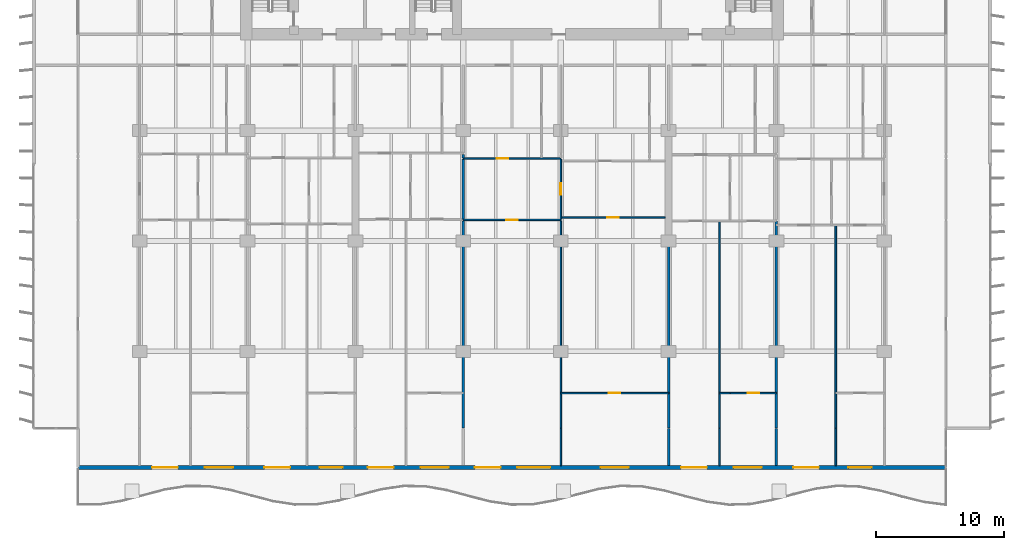
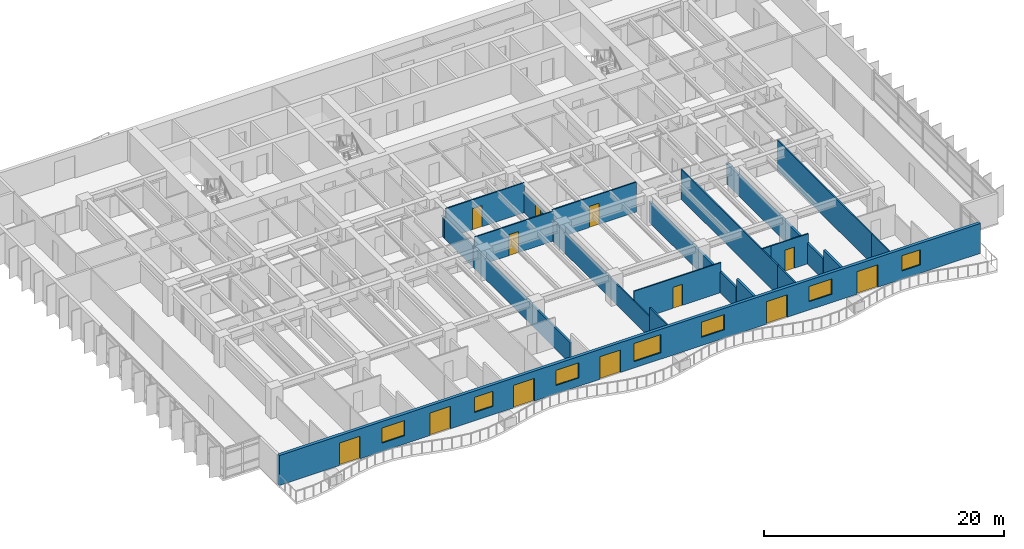
# One storey, part 8 of 18: 21 walls, 12 doors, 7 windows, 19 openings.
"""IFC4 building model written with IfcOpenShell, lengths in metres."""

from ifc_helpers import new_model, si_unit, direction, frame, frame_2d, origin, place, context, subcontext, project, spatial, rectangle, extrude, material, layer, layer_set, type_object, element, fill, save


model = new_model("IFC4")

# Units and contexts
model_context = context("Model", 3, precision=1e-05, world=origin(), true_north=direction((0.0, 1.0)))
body_context = subcontext(model_context, "Body", "Model", "MODEL_VIEW")
ifc_project = project(units=[si_unit("LENGTHUNIT", "METRE"), si_unit("AREAUNIT", "SQUARE_METRE"), si_unit("VOLUMEUNIT", "CUBIC_METRE"), si_unit("PLANEANGLEUNIT", "RADIAN"), si_unit("MASSUNIT", "GRAM", prefix="KILO")], contexts=[model_context])

# Site, building, storey
site_placement = place(None, origin())
site = spatial("IfcSite", under=ifc_project, at=site_placement, CompositionType="ELEMENT")
building_placement = place(site_placement, origin())
building = spatial("IfcBuilding", under=site, at=building_placement, Name="Caelmar Bay Residences", CompositionType="ELEMENT")
storey_placement = place(building_placement, frame((0.0, 0.0, 36.60009765625)))
storey = spatial("IfcBuildingStorey", under=building, at=storey_placement, Name="L08", CompositionType="ELEMENT", Elevation=36.60009765625)

# Wall, openings, doors, windows
ifc_material_1 = material(Name="Precast concrete f'c 40 MPa (6,000 psi)", Category="concrete")
ifc_layer_1 = layer(ifc_material_1, 0.300048828125)
ifc_layer_set_1 = layer_set([ifc_layer_1], Name="Precast concrete f'c 40 MPa (6,000 psi)")
wall_type_1 = type_object("IfcWallType", Name="W-EXT-300", PredefinedType="STANDARD", material=ifc_layer_set_1)
wall_1_placement = place(storey_placement, frame((72.699951171875, 3.14990234375, 0.0), z_axis=(0.0, 0.0, 1.0), x_axis=(-1.0, 0.0, 0.0)))
wall_1 = element("IfcWall", 1, at=wall_1_placement, inside=storey, type_object=wall_type_1, Name="L08 South Bayfront Exterior Wall", PredefinedType="STANDARD", context=body_context, shape_type="SweptSolid", body=[
    extrude(rectangle(XDim=67.599853515625, YDim=0.300048828125, at=frame_2d((33.7998046875, 0.0))), origin(), (0.0, 0.0, 1.0), 3.0498046875),
])
opening_1_placement = place(wall_1_placement, frame((59.825927734375, 0.0, 0.0)))
opening_1 = element("IfcOpeningElement", 2, at=opening_1_placement, cuts=wall_1, Name="Opening L08-BD01", PredefinedType="OPENING", context=body_context, shape_type="SweptSolid", body=[
    extrude(rectangle(XDim=2.0, YDim=2.300048828125, at=frame_2d((1.0, 1.14990234375))), frame((0.0, 0.159912109375, 0.0), z_axis=(0.0, -1.0, 0.0), x_axis=(1.0, 0.0, 0.0)), (0.0, 0.0, 1.0), 0.320068359375),
])
opening_2_placement = place(wall_1_placement, frame((55.52587890625, 0.0, 0.85009765625)))
opening_2 = element("IfcOpeningElement", 3, at=opening_2_placement, cuts=wall_1, Name="Opening WN2", PredefinedType="OPENING", context=body_context, shape_type="SweptSolid", body=[
    extrude(rectangle(XDim=2.199951171875, YDim=1.550048828125, at=frame_2d((1.10009765625, 0.77490234375))), frame((0.0, 0.159912109375, 0.0), z_axis=(0.0, -1.0, 0.0), x_axis=(1.0, 0.0, 0.0)), (0.0, 0.0, 1.0), 0.320068359375),
])
opening_3_placement = place(wall_1_placement, frame((51.090087890625, 0.0, 0.0)))
opening_3 = element("IfcOpeningElement", 4, at=opening_3_placement, cuts=wall_1, Name="Opening L08-BD02", PredefinedType="OPENING", context=body_context, shape_type="SweptSolid", body=[
    extrude(rectangle(XDim=2.0, YDim=2.300048828125, at=frame_2d((1.0, 1.14990234375))), frame((0.0, 0.159912109375, 0.0), z_axis=(0.0, -1.0, 0.0), x_axis=(1.0, 0.0, 0.0)), (0.0, 0.0, 1.0), 0.320068359375),
])
opening_4_placement = place(wall_1_placement, frame((46.989990234375, 0.0, 0.85009765625)))
opening_4 = element("IfcOpeningElement", 5, at=opening_4_placement, cuts=wall_1, Name="Opening WN1", PredefinedType="OPENING", context=body_context, shape_type="SweptSolid", body=[
    extrude(rectangle(XDim=1.800048828125, YDim=1.550048828125, at=frame_2d((0.89990234375, 0.77490234375))), frame((0.0, 0.159912109375, 0.0), z_axis=(0.0, -1.0, 0.0), x_axis=(1.0, 0.0, 0.0)), (0.0, 0.0, 1.0), 0.320068359375),
])
opening_5_placement = place(wall_1_placement, frame((43.02587890625, 0.0, 0.0)))
opening_5 = element("IfcOpeningElement", 6, at=opening_5_placement, cuts=wall_1, Name="Opening L08-BD03", PredefinedType="OPENING", context=body_context, shape_type="SweptSolid", body=[
    extrude(rectangle(XDim=2.0, YDim=2.300048828125, at=frame_2d((1.0, 1.14990234375))), frame((0.0, 0.159912109375, 0.0), z_axis=(0.0, -1.0, 0.0), x_axis=(1.0, 0.0, 0.0)), (0.0, 0.0, 1.0), 0.320068359375),
])
opening_6_placement = place(wall_1_placement, frame((38.72607421875, 0.0, 0.85009765625)))
opening_6 = element("IfcOpeningElement", 7, at=opening_6_placement, cuts=wall_1, Name="Opening WN2", PredefinedType="OPENING", context=body_context, shape_type="SweptSolid", body=[
    extrude(rectangle(XDim=2.199951171875, YDim=1.550048828125, at=frame_2d((1.10009765625, 0.77490234375))), frame((0.0, 0.159912109375, 0.0), z_axis=(0.0, -1.0, 0.0), x_axis=(1.0, 0.0, 0.0)), (0.0, 0.0, 1.0), 0.320068359375),
])
opening_7_placement = place(wall_1_placement, frame((34.68994140625, 0.0, 0.0)))
opening_7 = element("IfcOpeningElement", 8, at=opening_7_placement, cuts=wall_1, Name="Opening L08-BD04", PredefinedType="OPENING", context=body_context, shape_type="SweptSolid", body=[
    extrude(rectangle(XDim=2.0, YDim=2.300048828125, at=frame_2d((1.0, 1.14990234375))), frame((0.0, 0.159912109375, 0.0), z_axis=(0.0, -1.0, 0.0), x_axis=(1.0, 0.0, 0.0)), (0.0, 0.0, 1.0), 0.320068359375),
])
opening_8_placement = place(wall_1_placement, frame((30.81005859375, 0.0, 0.64990234375)))
opening_8 = element("IfcOpeningElement", 9, at=opening_8_placement, cuts=wall_1, Name="Opening WN3", PredefinedType="OPENING", context=body_context, shape_type="SweptSolid", body=[
    extrude(rectangle(XDim=2.60009765625, YDim=1.85009765625, at=frame_2d((1.300048828125, 0.925048828125))), frame((0.0, 0.159912109375, 0.0), z_axis=(0.0, -1.0, 0.0), x_axis=(1.0, 0.0, 0.0)), (0.0, 0.0, 1.0), 0.320068359375),
])
opening_9_placement = place(wall_1_placement, frame((24.699951171875, 0.0, 0.85009765625)))
opening_9 = element("IfcOpeningElement", 10, at=opening_9_placement, cuts=wall_1, Name="Opening WN2", PredefinedType="OPENING", context=body_context, shape_type="SweptSolid", body=[
    extrude(rectangle(XDim=2.199951171875, YDim=1.550048828125, at=frame_2d((1.10009765625, 0.77490234375))), frame((0.0, 0.159912109375, 0.0), z_axis=(0.0, -1.0, 0.0), x_axis=(1.0, 0.0, 0.0)), (0.0, 0.0, 1.0), 0.320068359375),
])
opening_10_placement = place(wall_1_placement, frame((18.6259765625, 0.0, 0.0)))
opening_10 = element("IfcOpeningElement", 11, at=opening_10_placement, cuts=wall_1, Name="Opening L08-BD05", PredefinedType="OPENING", context=body_context, shape_type="SweptSolid", body=[
    extrude(rectangle(XDim=2.0, YDim=2.300048828125, at=frame_2d((1.0, 1.14990234375))), frame((0.0, 0.159912109375, 0.0), z_axis=(0.0, -1.0, 0.0), x_axis=(1.0, 0.0, 0.0)), (0.0, 0.0, 1.0), 0.320068359375),
])
opening_11_placement = place(wall_1_placement, frame((14.325927734375, 0.0, 0.85009765625)))
opening_11 = element("IfcOpeningElement", 12, at=opening_11_placement, cuts=wall_1, Name="Opening WN2", PredefinedType="OPENING", context=body_context, shape_type="SweptSolid", body=[
    extrude(rectangle(XDim=2.199951171875, YDim=1.550048828125, at=frame_2d((1.10009765625, 0.77490234375))), frame((0.0, 0.159912109375, 0.0), z_axis=(0.0, -1.0, 0.0), x_axis=(1.0, 0.0, 0.0)), (0.0, 0.0, 1.0), 0.320068359375),
])
opening_12_placement = place(wall_1_placement, frame((9.889892578125, 0.0, 0.0)))
opening_12 = element("IfcOpeningElement", 13, at=opening_12_placement, cuts=wall_1, Name="Opening L08-BD06", PredefinedType="OPENING", context=body_context, shape_type="SweptSolid", body=[
    extrude(rectangle(XDim=2.0, YDim=2.300048828125, at=frame_2d((1.0, 1.14990234375))), frame((0.0, 0.159912109375, 0.0), z_axis=(0.0, -1.0, 0.0), x_axis=(1.0, 0.0, 0.0)), (0.0, 0.0, 1.0), 0.320068359375),
])
opening_13_placement = place(wall_1_placement, frame((5.7900390625, 0.0, 0.85009765625)))
opening_13 = element("IfcOpeningElement", 14, at=opening_13_placement, cuts=wall_1, Name="Opening WN1", PredefinedType="OPENING", context=body_context, shape_type="SweptSolid", body=[
    extrude(rectangle(XDim=1.800048828125, YDim=1.550048828125, at=frame_2d((0.89990234375, 0.77490234375))), frame((0.0, 0.159912109375, 0.0), z_axis=(0.0, -1.0, 0.0), x_axis=(1.0, 0.0, 0.0)), (0.0, 0.0, 1.0), 0.320068359375),
])
ifc_material_2 = material(Name="Anodised bronze thermally broken sliding glass door", Category="glass")
ifc_layer_2 = layer(ifc_material_2, 0.050048828125)
ifc_layer_set_2 = layer_set([ifc_layer_2], Name="Anodised bronze thermally broken sliding glass door")
door_type_1 = type_object("IfcDoorType", Name="D-BAL-2000", OperationType="DOUBLE_DOOR_SLIDING", PredefinedType="DOOR", material=ifc_layer_set_2)
door_1_placement = place(opening_1_placement, origin())
door_1 = element("IfcDoor", 15, at=door_1_placement, inside=storey, type_object=door_type_1, Name="L08 Residence 01 Penthouse Living Salon Balcony Door", OperationType="DOUBLE_DOOR_SLIDING", OverallHeight=2.300048828125, OverallWidth=2.0, PredefinedType="DOOR", context=body_context, shape_type="SweptSolid", body=[
    extrude(rectangle(XDim=2.0, YDim=2.300048828125, at=frame_2d((1.0, 1.14990234375))), frame((0.0, 0.02490234375, 0.0), z_axis=(0.0, -1.0, 0.0), x_axis=(1.0, 0.0, 0.0)), (0.0, 0.0, 1.0), 0.050048828125),
])
fill(opening_1, door_1)
door_2_placement = place(opening_3_placement, origin())
door_2 = element("IfcDoor", 16, at=door_2_placement, inside=storey, type_object=door_type_1, Name="L08 Residence 02 Penthouse Living Salon Balcony Door", OperationType="DOUBLE_DOOR_SLIDING", OverallHeight=2.300048828125, OverallWidth=2.0, PredefinedType="DOOR", context=body_context, shape_type="SweptSolid", body=[
    extrude(rectangle(XDim=2.0, YDim=2.300048828125, at=frame_2d((1.0, 1.14990234375))), frame((0.0, 0.02490234375, 0.0), z_axis=(0.0, -1.0, 0.0), x_axis=(1.0, 0.0, 0.0)), (0.0, 0.0, 1.0), 0.050048828125),
])
fill(opening_3, door_2)
door_3_placement = place(opening_5_placement, origin())
door_3 = element("IfcDoor", 17, at=door_3_placement, inside=storey, type_object=door_type_1, Name="L08 Residence 03 Penthouse Living Salon Balcony Door", OperationType="DOUBLE_DOOR_SLIDING", OverallHeight=2.300048828125, OverallWidth=2.0, PredefinedType="DOOR", context=body_context, shape_type="SweptSolid", body=[
    extrude(rectangle(XDim=2.0, YDim=2.300048828125, at=frame_2d((1.0, 1.14990234375))), frame((0.0, 0.02490234375, 0.0), z_axis=(0.0, -1.0, 0.0), x_axis=(1.0, 0.0, 0.0)), (0.0, 0.0, 1.0), 0.050048828125),
])
fill(opening_5, door_3)
door_4_placement = place(opening_7_placement, origin())
door_4 = element("IfcDoor", 18, at=door_4_placement, inside=storey, type_object=door_type_1, Name="L08 Residence 04 Penthouse Living Salon Balcony Door", OperationType="DOUBLE_DOOR_SLIDING", OverallHeight=2.300048828125, OverallWidth=2.0, PredefinedType="DOOR", context=body_context, shape_type="SweptSolid", body=[
    extrude(rectangle(XDim=2.0, YDim=2.300048828125, at=frame_2d((1.0, 1.14990234375))), frame((0.0, 0.02490234375, 0.0), z_axis=(0.0, -1.0, 0.0), x_axis=(1.0, 0.0, 0.0)), (0.0, 0.0, 1.0), 0.050048828125),
])
fill(opening_7, door_4)
door_5_placement = place(opening_10_placement, origin())
door_5 = element("IfcDoor", 19, at=door_5_placement, inside=storey, type_object=door_type_1, Name="L08 Residence 05 Living Room Balcony Door", OperationType="DOUBLE_DOOR_SLIDING", OverallHeight=2.300048828125, OverallWidth=2.0, PredefinedType="DOOR", context=body_context, shape_type="SweptSolid", body=[
    extrude(rectangle(XDim=2.0, YDim=2.300048828125, at=frame_2d((1.0, 1.14990234375))), frame((0.0, 0.02490234375, 0.0), z_axis=(0.0, -1.0, 0.0), x_axis=(1.0, 0.0, 0.0)), (0.0, 0.0, 1.0), 0.050048828125),
])
fill(opening_10, door_5)
door_6_placement = place(opening_12_placement, origin())
door_6 = element("IfcDoor", 20, at=door_6_placement, inside=storey, type_object=door_type_1, Name="L08 Residence 06 Penthouse Living Salon Balcony Door", OperationType="DOUBLE_DOOR_SLIDING", OverallHeight=2.300048828125, OverallWidth=2.0, PredefinedType="DOOR", context=body_context, shape_type="SweptSolid", body=[
    extrude(rectangle(XDim=2.0, YDim=2.300048828125, at=frame_2d((1.0, 1.14990234375))), frame((0.0, 0.02490234375, 0.0), z_axis=(0.0, -1.0, 0.0), x_axis=(1.0, 0.0, 0.0)), (0.0, 0.0, 1.0), 0.050048828125),
])
fill(opening_12, door_6)
ifc_material_3 = material(Name="Bronze aluminium frame with laminated low-E glass", Category="aluminium")
ifc_layer_3 = layer(ifc_material_3, 0.06005859375)
ifc_layer_set_3 = layer_set([ifc_layer_3], Name="Bronze aluminium frame with laminated low-E glass")
window_type_1 = type_object("IfcWindowType", Name="WIN-BR-1800", PartitioningType="SINGLE_PANEL", PredefinedType="WINDOW", material=ifc_layer_set_3)
window_1_placement = place(opening_4_placement, origin())
window_1 = element("IfcWindow", 21, at=window_1_placement, inside=storey, type_object=window_type_1, Name="L08 Residence 02 Primary Bedroom Window", OverallHeight=1.550048828125, OverallWidth=1.800048828125, PartitioningType="SINGLE_PANEL", PredefinedType="WINDOW", context=body_context, shape_type="SweptSolid", body=[
    extrude(rectangle(XDim=1.800048828125, YDim=1.550048828125, at=frame_2d((0.89990234375, 0.77490234375))), frame((0.0, 0.030029296875, 0.0), z_axis=(0.0, -1.0, 0.0), x_axis=(1.0, 0.0, 0.0)), (0.0, 0.0, 1.0), 0.06005859375),
])
fill(opening_4, window_1)
window_2_placement = place(opening_13_placement, origin())
window_2 = element("IfcWindow", 22, at=window_2_placement, inside=storey, type_object=window_type_1, Name="L08 Residence 06 Primary Bedroom Window", OverallHeight=1.550048828125, OverallWidth=1.800048828125, PartitioningType="SINGLE_PANEL", PredefinedType="WINDOW", context=body_context, shape_type="SweptSolid", body=[
    extrude(rectangle(XDim=1.800048828125, YDim=1.550048828125, at=frame_2d((0.89990234375, 0.77490234375))), frame((0.0, 0.030029296875, 0.0), z_axis=(0.0, -1.0, 0.0), x_axis=(1.0, 0.0, 0.0)), (0.0, 0.0, 1.0), 0.06005859375),
])
fill(opening_13, window_2)
ifc_layer_4 = layer(ifc_material_3, 0.06005859375)
ifc_layer_set_4 = layer_set([ifc_layer_4], Name="Bronze aluminium frame with laminated low-E glass")
window_type_2 = type_object("IfcWindowType", Name="WIN-BR-2200", PartitioningType="SINGLE_PANEL", PredefinedType="WINDOW", material=ifc_layer_set_4)
window_3_placement = place(opening_2_placement, origin())
window_3 = element("IfcWindow", 23, at=window_3_placement, inside=storey, type_object=window_type_2, Name="L08 Residence 01 Primary Bedroom Window", OverallHeight=1.550048828125, OverallWidth=2.199951171875, PartitioningType="SINGLE_PANEL", PredefinedType="WINDOW", context=body_context, shape_type="SweptSolid", body=[
    extrude(rectangle(XDim=2.199951171875, YDim=1.550048828125, at=frame_2d((1.10009765625, 0.77490234375))), frame((0.0, 0.030029296875, 0.0), z_axis=(0.0, -1.0, 0.0), x_axis=(1.0, 0.0, 0.0)), (0.0, 0.0, 1.0), 0.06005859375),
])
fill(opening_2, window_3)
window_4_placement = place(opening_6_placement, origin())
window_4 = element("IfcWindow", 24, at=window_4_placement, inside=storey, type_object=window_type_2, Name="L08 Residence 03 Primary Bedroom Window", OverallHeight=1.550048828125, OverallWidth=2.199951171875, PartitioningType="SINGLE_PANEL", PredefinedType="WINDOW", context=body_context, shape_type="SweptSolid", body=[
    extrude(rectangle(XDim=2.199951171875, YDim=1.550048828125, at=frame_2d((1.10009765625, 0.77490234375))), frame((0.0, 0.030029296875, 0.0), z_axis=(0.0, -1.0, 0.0), x_axis=(1.0, 0.0, 0.0)), (0.0, 0.0, 1.0), 0.06005859375),
])
fill(opening_6, window_4)
window_5_placement = place(opening_9_placement, origin())
window_5 = element("IfcWindow", 25, at=window_5_placement, inside=storey, type_object=window_type_2, Name="L08 Residence 04 Primary Bedroom 1 Window", OverallHeight=1.550048828125, OverallWidth=2.199951171875, PartitioningType="SINGLE_PANEL", PredefinedType="WINDOW", context=body_context, shape_type="SweptSolid", body=[
    extrude(rectangle(XDim=2.199951171875, YDim=1.550048828125, at=frame_2d((1.10009765625, 0.77490234375))), frame((0.0, 0.030029296875, 0.0), z_axis=(0.0, -1.0, 0.0), x_axis=(1.0, 0.0, 0.0)), (0.0, 0.0, 1.0), 0.06005859375),
])
fill(opening_9, window_5)
window_6_placement = place(opening_11_placement, origin())
window_6 = element("IfcWindow", 26, at=window_6_placement, inside=storey, type_object=window_type_2, Name="L08 Residence 05 Primary Bedroom Window", OverallHeight=1.550048828125, OverallWidth=2.199951171875, PartitioningType="SINGLE_PANEL", PredefinedType="WINDOW", context=body_context, shape_type="SweptSolid", body=[
    extrude(rectangle(XDim=2.199951171875, YDim=1.550048828125, at=frame_2d((1.10009765625, 0.77490234375))), frame((0.0, 0.030029296875, 0.0), z_axis=(0.0, -1.0, 0.0), x_axis=(1.0, 0.0, 0.0)), (0.0, 0.0, 1.0), 0.06005859375),
])
fill(opening_11, window_6)
ifc_layer_5 = layer(ifc_material_3, 0.06005859375)
ifc_layer_set_5 = layer_set([ifc_layer_5], Name="Bronze aluminium frame with laminated low-E glass")
window_type_3 = type_object("IfcWindowType", Name="WIN-LIV-2600", PartitioningType="SINGLE_PANEL", PredefinedType="WINDOW", material=ifc_layer_set_5)
window_7_placement = place(opening_8_placement, origin())
window_7 = element("IfcWindow", 27, at=window_7_placement, inside=storey, type_object=window_type_3, Name="L08 Residence 04 Penthouse Living Salon Panoramic Window", OverallHeight=1.85009765625, OverallWidth=2.60009765625, PartitioningType="SINGLE_PANEL", PredefinedType="WINDOW", context=body_context, shape_type="SweptSolid", body=[
    extrude(rectangle(XDim=2.60009765625, YDim=1.85009765625, at=frame_2d((1.300048828125, 0.925048828125))), frame((0.0, 0.030029296875, 0.0), z_axis=(0.0, -1.0, 0.0), x_axis=(1.0, 0.0, 0.0)), (0.0, 0.0, 1.0), 0.06005859375),
])
fill(opening_8, window_7)

# Walls
ifc_material_4 = material(Name="Acoustic metal-stud gypsum partition 120 mm")
ifc_layer_6 = layer(ifc_material_4, 0.1201171875)
ifc_layer_set_6 = layer_set([ifc_layer_6], Name="Acoustic metal-stud gypsum partition 120 mm")
wall_type_2 = type_object("IfcWallType", Name="W-PRT-120", PredefinedType="PARTITIONING", material=ifc_layer_set_6)
wall_2_placement = place(storey_placement, frame((42.699951171875, 3.294921875, 0.0), z_axis=(0.0, 0.0, 1.0), x_axis=(0.0, 1.0, 0.0)))
element("IfcWall", 28, at=wall_2_placement, inside=storey, type_object=wall_type_2, Name="L08 Partition Wall V053", PredefinedType="PARTITIONING", context=body_context, shape_type="SweptSolid", body=[
    extrude(rectangle(XDim=2.905029296875, YDim=0.1201171875, at=frame_2d((1.45263671875, 0.0))), origin(), (0.0, 0.0, 1.0), 3.0498046875),
])
wall_3_placement = place(storey_placement, frame((42.699951171875, 6.239990234375, 0.0), z_axis=(0.0, 0.0, 1.0), x_axis=(0.0, 1.0, 0.0)))
element("IfcWall", 29, at=wall_3_placement, inside=storey, type_object=wall_type_2, Name="L08 Partition Wall V054", PredefinedType="PARTITIONING", context=body_context, shape_type="SweptSolid", body=[
    extrude(rectangle(XDim=16.130126953125, YDim=0.1201171875, at=frame_2d((8.06494140625, 0.0))), origin(), (0.0, 0.0, 1.0), 2.10986328125),
])

# Wall, opening, door
wall_4_placement = place(storey_placement, frame((42.699951171875, 22.489990234375, 0.0), z_axis=(0.0, 0.0, 1.0), x_axis=(0.0, 1.0, 0.0)))
wall_4 = element("IfcWall", 30, at=wall_4_placement, inside=storey, type_object=wall_type_2, Name="L08 Partition Wall V055", PredefinedType="PARTITIONING", context=body_context, shape_type="SweptSolid", body=[
    extrude(rectangle(XDim=4.68994140625, YDim=0.1201171875, at=frame_2d((2.344970703125, 0.0))), origin(), (0.0, 0.0, 1.0), 2.10986328125),
])
opening_14_placement = place(wall_4_placement, frame((1.89990234375, 0.0, 0.0)))
opening_14 = element("IfcOpeningElement", 31, at=opening_14_placement, cuts=wall_4, Name="Opening D-L08-147", PredefinedType="OPENING", context=body_context, shape_type="SweptSolid", body=[
    extrude(rectangle(XDim=0.89990234375, YDim=2.06005859375, at=frame_2d((0.449951171875, 1.030029296875))), frame((0.0, 0.070068359375, 0.0), z_axis=(0.0, -1.0, 0.0), x_axis=(1.0, 0.0, 0.0)), (0.0, 0.0, 1.0), 0.14013671875),
])
ifc_material_5 = material(Name="Solid walnut timber interior door leaf and frame", Category="wood")
ifc_layer_7 = layer(ifc_material_5, 0.050048828125)
ifc_layer_set_7 = layer_set([ifc_layer_7], Name="Solid walnut timber interior door leaf and frame")
door_type_2 = type_object("IfcDoorType", Name="D-ROOM-900", OperationType="NOTDEFINED", PredefinedType="DOOR", material=ifc_layer_set_7)
door_7_placement = place(opening_14_placement, origin())
door_7 = element("IfcDoor", 32, at=door_7_placement, inside=storey, type_object=door_type_2, Name="L08 Residence 04 Family Room 1 Door", OperationType="SINGLE_SWING_LEFT", OverallHeight=2.06005859375, OverallWidth=0.89990234375, PredefinedType="DOOR", context=body_context, shape_type="SweptSolid", body=[
    extrude(rectangle(XDim=0.89990234375, YDim=2.06005859375, at=frame_2d((0.449951171875, 1.030029296875))), frame((0.0, 0.02490234375, 0.0), z_axis=(0.0, -1.0, 0.0), x_axis=(1.0, 0.0, 0.0)), (0.0, 0.0, 1.0), 0.050048828125),
])
fill(opening_14, door_7)

# Walls
wall_5_placement = place(storey_placement, frame((55.048095703125, 3.294921875, 0.0), z_axis=(0.0, 0.0, 1.0), x_axis=(0.0, 1.0, 0.0)))
element("IfcWall", 33, at=wall_5_placement, inside=storey, type_object=wall_type_2, Name="L08 Partition Wall V072", PredefinedType="PARTITIONING", context=body_context, shape_type="SweptSolid", body=[
    extrude(rectangle(XDim=2.905029296875, YDim=0.1201171875, at=frame_2d((1.45263671875, 0.0))), origin(), (0.0, 0.0, 1.0), 3.0498046875),
])
wall_6_placement = place(storey_placement, frame((55.048095703125, 6.239990234375, 0.0), z_axis=(0.0, 0.0, 1.0), x_axis=(0.0, 1.0, 0.0)))
element("IfcWall", 34, at=wall_6_placement, inside=storey, type_object=wall_type_2, Name="L08 Partition Wall V073", PredefinedType="PARTITIONING", context=body_context, shape_type="SweptSolid", body=[
    extrude(rectangle(XDim=16.130126953125, YDim=0.1201171875, at=frame_2d((8.06494140625, 0.0))), origin(), (0.0, 0.0, 1.0), 3.0498046875),
])
wall_7_placement = place(storey_placement, frame((64.1201171875, 3.294921875, 0.0), z_axis=(0.0, 0.0, 1.0), x_axis=(0.0, 1.0, 0.0)))
element("IfcWall", 35, at=wall_7_placement, inside=storey, type_object=wall_type_2, Name="L08 Partition Wall V086", PredefinedType="PARTITIONING", context=body_context, shape_type="SweptSolid", body=[
    extrude(rectangle(XDim=2.905029296875, YDim=0.1201171875, at=frame_2d((1.45263671875, 0.0))), origin(), (0.0, 0.0, 1.0), 3.0498046875),
])
wall_8_placement = place(storey_placement, frame((64.1201171875, 6.239990234375, 0.0), z_axis=(0.0, 0.0, 1.0), x_axis=(0.0, 1.0, 0.0)))
element("IfcWall", 36, at=wall_8_placement, inside=storey, type_object=wall_type_2, Name="L08 Partition Wall V087", PredefinedType="PARTITIONING", context=body_context, shape_type="SweptSolid", body=[
    extrude(rectangle(XDim=15.7900390625, YDim=0.1201171875, at=frame_2d((7.89501953125, 0.0))), origin(), (0.0, 0.0, 1.0), 3.0498046875),
])

# Wall, opening, door
wall_9_placement = place(storey_placement, frame((42.699951171875, 8.949951171875, 0.0), z_axis=(0.0, 0.0, 1.0), x_axis=(1.0, 0.0, 0.0)))
wall_9 = element("IfcWall", 37, at=wall_9_placement, inside=storey, type_object=wall_type_2, Name="L08 Partition Wall H106", PredefinedType="PARTITIONING", context=body_context, shape_type="SweptSolid", body=[
    extrude(rectangle(XDim=8.400146484375, YDim=0.1201171875, at=frame_2d((4.2001953125, 0.0))), origin(), (0.0, 0.0, 1.0), 3.0498046875),
])
opening_15_placement = place(wall_9_placement, frame((3.75, 0.0, 0.0)))
opening_15 = element("IfcOpeningElement", 38, at=opening_15_placement, cuts=wall_9, Name="Opening D-L08-151", PredefinedType="OPENING", context=body_context, shape_type="SweptSolid", body=[
    extrude(rectangle(XDim=0.89990234375, YDim=2.14990234375, at=frame_2d((0.449951171875, 1.074951171875))), frame((0.0, 0.070068359375, 0.0), z_axis=(0.0, -1.0, 0.0), x_axis=(1.0, 0.0, 0.0)), (0.0, 0.0, 1.0), 0.14013671875),
])
door_8_placement = place(opening_15_placement, origin())
door_8 = element("IfcDoor", 39, at=door_8_placement, inside=storey, type_object=door_type_2, Name="L08 Residence 04 Primary Bedroom 1 Door", OperationType="SINGLE_SWING_LEFT", OverallHeight=2.14990234375, OverallWidth=0.89990234375, PredefinedType="DOOR", context=body_context, shape_type="SweptSolid", body=[
    extrude(rectangle(XDim=0.89990234375, YDim=2.14990234375, at=frame_2d((0.449951171875, 1.074951171875))), frame((0.0, 0.02490234375, 0.0), z_axis=(0.0, -1.0, 0.0), x_axis=(1.0, 0.0, 0.0)), (0.0, 0.0, 1.0), 0.050048828125),
])
fill(opening_15, door_8)

# Wall
wall_10_placement = place(storey_placement, frame((55.048095703125, 8.949951171875, 0.0), z_axis=(0.0, 0.0, 1.0), x_axis=(1.0, 0.0, 0.0)))
element("IfcWall", 40, at=wall_10_placement, inside=storey, type_object=wall_type_2, Name="L08 Partition Wall H107", PredefinedType="PARTITIONING", context=body_context, shape_type="SweptSolid", body=[
    extrude(rectangle(XDim=0.837890625, YDim=0.1201171875, at=frame_2d((0.4189453125, 0.0))), origin(), (0.0, 0.0, 1.0), 3.0498046875),
])

# Wall, opening, door
wall_11_placement = place(storey_placement, frame((55.89990234375, 8.949951171875, 0.0), z_axis=(0.0, 0.0, 1.0), x_axis=(1.0, 0.0, 0.0)))
wall_11 = element("IfcWall", 41, at=wall_11_placement, inside=storey, type_object=wall_type_2, Name="L08 Partition Wall H108", PredefinedType="PARTITIONING", context=body_context, shape_type="SweptSolid", body=[
    extrude(rectangle(XDim=3.60009765625, YDim=0.1201171875, at=frame_2d((1.800048828125, 0.0))), origin(), (0.0, 0.0, 1.0), 3.0498046875),
])
opening_16_placement = place(wall_11_placement, frame((1.35009765625, 0.0, 0.0)))
opening_16 = element("IfcOpeningElement", 42, at=opening_16_placement, cuts=wall_11, Name="Opening D-L08-158", PredefinedType="OPENING", context=body_context, shape_type="SweptSolid", body=[
    extrude(rectangle(XDim=0.89990234375, YDim=2.14990234375, at=frame_2d((0.449951171875, 1.074951171875))), frame((0.0, 0.070068359375, 0.0), z_axis=(0.0, -1.0, 0.0), x_axis=(1.0, 0.0, 0.0)), (0.0, 0.0, 1.0), 0.14013671875),
])
door_9_placement = place(opening_16_placement, origin())
door_9 = element("IfcDoor", 43, at=door_9_placement, inside=storey, type_object=door_type_2, Name="L08 Residence 05 Primary Bedroom Door", OperationType="SINGLE_SWING_RIGHT", OverallHeight=2.14990234375, OverallWidth=0.89990234375, PredefinedType="DOOR", context=body_context, shape_type="SweptSolid", body=[
    extrude(rectangle(XDim=0.89990234375, YDim=2.14990234375, at=frame_2d((0.449951171875, 1.074951171875))), frame((0.0, 0.02490234375, 0.0), z_axis=(0.0, -1.0, 0.0), x_axis=(1.0, 0.0, 0.0)), (0.0, 0.0, 1.0), 0.050048828125),
])
fill(opening_16, door_9)

wall_12_placement = place(storey_placement, frame((35.10009765625, 22.43994140625, 0.0), z_axis=(0.0, 0.0, 1.0), x_axis=(1.0, 0.0, 0.0)))
wall_12 = element("IfcWall", 44, at=wall_12_placement, inside=storey, type_object=wall_type_2, Name="L08 Partition Wall H115", PredefinedType="PARTITIONING", context=body_context, shape_type="SweptSolid", body=[
    extrude(rectangle(XDim=7.599853515625, YDim=0.1201171875, at=frame_2d((3.7998046875, 0.0))), origin(), (0.0, 0.0, 1.0), 3.0498046875),
])
opening_17_placement = place(wall_12_placement, frame((3.35009765625, 0.0, 0.0)))
opening_17 = element("IfcOpeningElement", 45, at=opening_17_placement, cuts=wall_12, Name="Opening D-L08-146", PredefinedType="OPENING", context=body_context, shape_type="SweptSolid", body=[
    extrude(rectangle(XDim=0.89990234375, YDim=2.14990234375, at=frame_2d((0.449951171875, 1.074951171875))), frame((0.0, 0.070068359375, 0.0), z_axis=(0.0, -1.0, 0.0), x_axis=(1.0, 0.0, 0.0)), (0.0, 0.0, 1.0), 0.14013671875),
])
door_10_placement = place(opening_17_placement, origin())
door_10 = element("IfcDoor", 46, at=door_10_placement, inside=storey, type_object=door_type_2, Name="L08 Residence 04 Penthouse Living Salon Door", OperationType="SINGLE_SWING_RIGHT", OverallHeight=2.14990234375, OverallWidth=0.89990234375, PredefinedType="DOOR", context=body_context, shape_type="SweptSolid", body=[
    extrude(rectangle(XDim=0.89990234375, YDim=2.14990234375, at=frame_2d((0.449951171875, 1.074951171875))), frame((0.0, 0.02490234375, 0.0), z_axis=(0.0, -1.0, 0.0), x_axis=(1.0, 0.0, 0.0)), (0.0, 0.0, 1.0), 0.050048828125),
])
fill(opening_17, door_10)

wall_13_placement = place(storey_placement, frame((42.705078125, 22.639892578125, 0.0), z_axis=(0.0, 0.0, 1.0), x_axis=(1.0, 0.0, 0.0)))
wall_13 = element("IfcWall", 47, at=wall_13_placement, inside=storey, type_object=wall_type_2, Name="L08 Partition Wall H117", PredefinedType="PARTITIONING", context=body_context, shape_type="SweptSolid", body=[
    extrude(rectangle(XDim=8.125, YDim=0.1201171875, at=frame_2d((4.0625, 0.0))), origin(), (0.0, 0.0, 1.0), 3.0498046875),
])
opening_18_placement = place(wall_13_placement, frame((3.612548828125, 0.0, 0.0)))
opening_18 = element("IfcOpeningElement", 48, at=opening_18_placement, cuts=wall_13, Name="Opening D-L08-150", PredefinedType="OPENING", context=body_context, shape_type="SweptSolid", body=[
    extrude(rectangle(XDim=0.89990234375, YDim=2.14990234375, at=frame_2d((0.449951171875, 1.074951171875))), frame((0.0, 0.070068359375, 0.0), z_axis=(0.0, -1.0, 0.0), x_axis=(1.0, 0.0, 0.0)), (0.0, 0.0, 1.0), 0.14013671875),
])
door_11_placement = place(opening_18_placement, origin())
door_11 = element("IfcDoor", 49, at=door_11_placement, inside=storey, type_object=door_type_2, Name="L08 Residence 04 Penthouse Sitting Salon 1 Door", OperationType="SINGLE_SWING_RIGHT", OverallHeight=2.14990234375, OverallWidth=0.89990234375, PredefinedType="DOOR", context=body_context, shape_type="SweptSolid", body=[
    extrude(rectangle(XDim=0.89990234375, YDim=2.14990234375, at=frame_2d((0.449951171875, 1.074951171875))), frame((0.0, 0.02490234375, 0.0), z_axis=(0.0, -1.0, 0.0), x_axis=(1.0, 0.0, 0.0)), (0.0, 0.0, 1.0), 0.050048828125),
])
fill(opening_18, door_11)

wall_14_placement = place(storey_placement, frame((35.10009765625, 27.239990234375, 0.0), z_axis=(0.0, 0.0, 1.0), x_axis=(1.0, 0.0, 0.0)))
wall_14 = element("IfcWall", 50, at=wall_14_placement, inside=storey, type_object=wall_type_2, Name="L08 Partition Wall H120", PredefinedType="PARTITIONING", context=body_context, shape_type="SweptSolid", body=[
    extrude(rectangle(XDim=7.594970703125, YDim=0.1201171875, at=frame_2d((3.79736328125, 0.0))), origin(), (0.0, 0.0, 1.0), 3.0498046875),
])
opening_19_placement = place(wall_14_placement, frame((2.60009765625, 0.0, 0.0)))
opening_19 = element("IfcOpeningElement", 51, at=opening_19_placement, cuts=wall_14, Name="Opening D-L08-145", PredefinedType="OPENING", context=body_context, shape_type="SweptSolid", body=[
    extrude(rectangle(XDim=0.89990234375, YDim=2.14990234375, at=frame_2d((0.449951171875, 1.074951171875))), frame((0.0, 0.070068359375, 0.0), z_axis=(0.0, -1.0, 0.0), x_axis=(1.0, 0.0, 0.0)), (0.0, 0.0, 1.0), 0.14013671875),
])
door_12_placement = place(opening_19_placement, origin())
door_12 = element("IfcDoor", 52, at=door_12_placement, inside=storey, type_object=door_type_2, Name="L08 Residence 04 Kitchen Door", OperationType="SINGLE_SWING_LEFT", OverallHeight=2.14990234375, OverallWidth=0.89990234375, PredefinedType="DOOR", context=body_context, shape_type="SweptSolid", body=[
    extrude(rectangle(XDim=0.89990234375, YDim=2.14990234375, at=frame_2d((0.449951171875, 1.074951171875))), frame((0.0, 0.02490234375, 0.0), z_axis=(0.0, -1.0, 0.0), x_axis=(1.0, 0.0, 0.0)), (0.0, 0.0, 1.0), 0.050048828125),
])
fill(opening_19, door_12)

# Walls
ifc_material_6 = material(Name="Acoustic twin-stud fire-rated inter-tenancy partition 200 mm")
ifc_layer_8 = layer(ifc_material_6, 0.199951171875)
ifc_layer_set_8 = layer_set([ifc_layer_8], Name="Acoustic twin-stud fire-rated inter-tenancy partition 200 mm")
wall_type_3 = type_object("IfcWallType", Name="W-PTY-200", PredefinedType="PARTITIONING", material=ifc_layer_set_8)
wall_15_placement = place(storey_placement, frame((35.10009765625, 6.239990234375, 0.0), z_axis=(0.0, 0.0, 1.0), x_axis=(0.0, 1.0, 0.0)))
element("IfcWall", 53, at=wall_15_placement, inside=storey, type_object=wall_type_3, Name="L08 Partition Wall V044", PredefinedType="PARTITIONING", context=body_context, shape_type="SweptSolid", body=[
    extrude(rectangle(XDim=16.130126953125, YDim=0.199951171875, at=frame_2d((8.06494140625, 0.0))), origin(), (0.0, 0.0, 1.0), 2.10986328125),
])
wall_16_placement = place(storey_placement, frame((35.10009765625, 22.489990234375, 0.0), z_axis=(0.0, 0.0, 1.0), x_axis=(0.0, 1.0, 0.0)))
element("IfcWall", 54, at=wall_16_placement, inside=storey, type_object=wall_type_3, Name="L08 Partition Wall V045", PredefinedType="PARTITIONING", context=body_context, shape_type="SweptSolid", body=[
    extrude(rectangle(XDim=4.68994140625, YDim=0.199951171875, at=frame_2d((2.344970703125, 0.0))), origin(), (0.0, 0.0, 1.0), 2.10986328125),
])
wall_17_placement = place(storey_placement, frame((35.10009765625, 27.280029296875, 0.0), z_axis=(0.0, 0.0, 1.0), x_axis=(0.0, 1.0, 0.0)))
element("IfcWall", 55, at=wall_17_placement, inside=storey, type_object=wall_type_3, Name="L08 Partition Wall V046", PredefinedType="PARTITIONING", context=body_context, shape_type="SweptSolid", body=[
    extrude(rectangle(XDim=0.239990234375, YDim=0.199951171875, at=frame_2d((0.1201171875, 0.0))), origin(), (0.0, 0.0, 1.0), 2.10986328125),
])
wall_18_placement = place(storey_placement, frame((51.10009765625, 3.294921875, 0.0), z_axis=(0.0, 0.0, 1.0), x_axis=(0.0, 1.0, 0.0)))
element("IfcWall", 56, at=wall_18_placement, inside=storey, type_object=wall_type_3, Name="L08 Partition Wall V068", PredefinedType="PARTITIONING", context=body_context, shape_type="SweptSolid", body=[
    extrude(rectangle(XDim=2.905029296875, YDim=0.199951171875, at=frame_2d((1.45263671875, 0.0))), origin(), (0.0, 0.0, 1.0), 3.0498046875),
])
wall_19_placement = place(storey_placement, frame((51.10009765625, 6.239990234375, 0.0), z_axis=(0.0, 0.0, 1.0), x_axis=(0.0, 1.0, 0.0)))
element("IfcWall", 57, at=wall_19_placement, inside=storey, type_object=wall_type_3, Name="L08 Partition Wall V069", PredefinedType="PARTITIONING", context=body_context, shape_type="SweptSolid", body=[
    extrude(rectangle(XDim=14.554931640625, YDim=0.199951171875, at=frame_2d((7.27734375, 0.0))), origin(), (0.0, 0.0, 1.0), 2.10986328125),
])
wall_20_placement = place(storey_placement, frame((59.5, 3.294921875, 0.0), z_axis=(0.0, 0.0, 1.0), x_axis=(0.0, 1.0, 0.0)))
element("IfcWall", 58, at=wall_20_placement, inside=storey, type_object=wall_type_3, Name="L08 Partition Wall V078", PredefinedType="PARTITIONING", context=body_context, shape_type="SweptSolid", body=[
    extrude(rectangle(XDim=2.905029296875, YDim=0.199951171875, at=frame_2d((1.45263671875, 0.0))), origin(), (0.0, 0.0, 1.0), 3.0498046875),
])
wall_21_placement = place(storey_placement, frame((59.5, 6.239990234375, 0.0), z_axis=(0.0, 0.0, 1.0), x_axis=(0.0, 1.0, 0.0)))
element("IfcWall", 59, at=wall_21_placement, inside=storey, type_object=wall_type_3, Name="L08 Partition Wall V079", PredefinedType="PARTITIONING", context=body_context, shape_type="SweptSolid", body=[
    extrude(rectangle(XDim=16.130126953125, YDim=0.199951171875, at=frame_2d((8.06494140625, 0.0))), origin(), (0.0, 0.0, 1.0), 2.10986328125),
])

save(model, "model.ifc")
